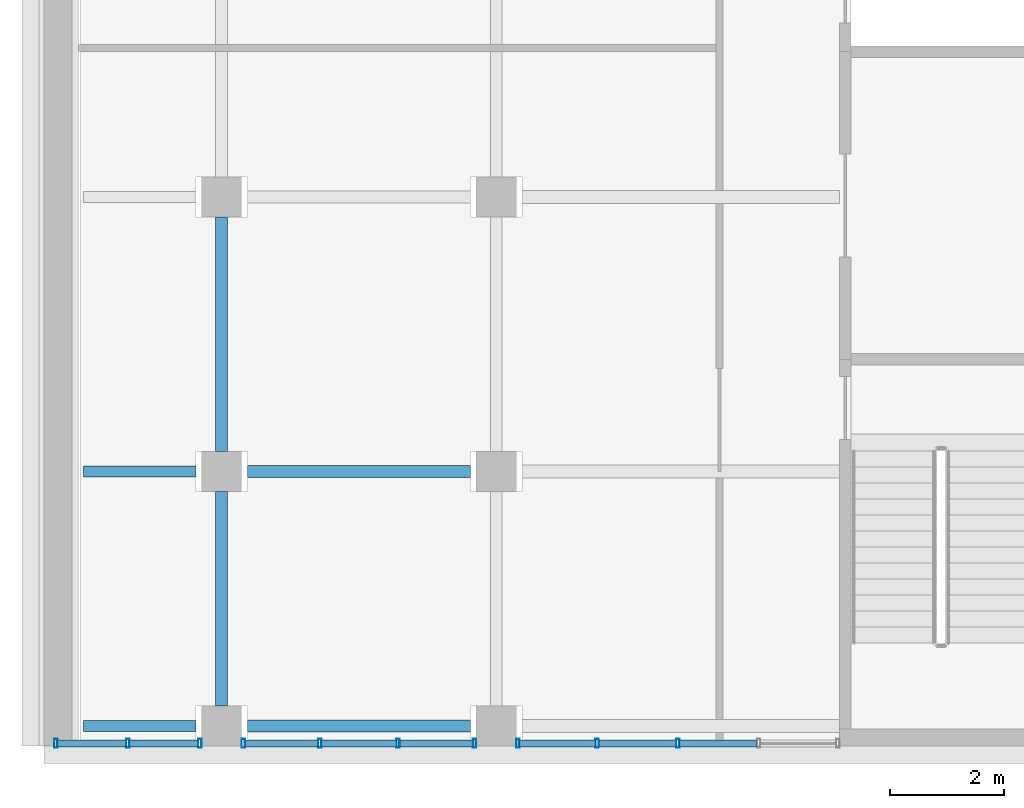
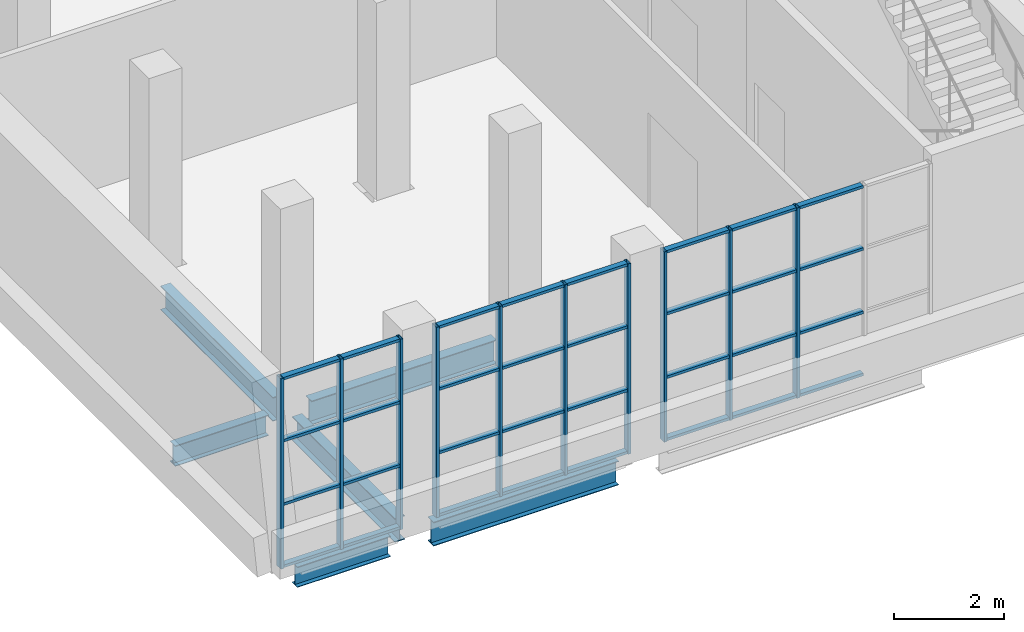
# One storey, part 3 of 32: 42 members, 6 beams, 3 elements without a shape of their own.
"""IFC4 building model written with IfcOpenShell, lengths in metres."""

from ifc_helpers import new_model, si_unit, direction, frame, origin, origin_2d, place, context, subcontext, project, spatial, hollow_rectangle, i_section, extrude, material, layer, layer_set, material_profile, profile_set, type_object, element, aggregate, save


model = new_model("IFC4")

# Units and contexts
model_context = context("Model", 3, precision=1e-05, world=origin(), true_north=direction((0.0, 1.0)))
body_context = subcontext(model_context, "Body", "Model", "MODEL_VIEW")
ifc_project = project(units=[si_unit("LENGTHUNIT", "METRE"), si_unit("AREAUNIT", "SQUARE_METRE"), si_unit("VOLUMEUNIT", "CUBIC_METRE"), si_unit("PLANEANGLEUNIT", "RADIAN"), si_unit("MASSUNIT", "GRAM", prefix="KILO")], contexts=[model_context])

# Site, building, storey
site_placement = place(None, origin())
site = spatial("IfcSite", under=ifc_project, at=site_placement, CompositionType="ELEMENT")
building_placement = place(site_placement, origin())
building = spatial("IfcBuilding", under=site, at=building_placement, Name="Baori Bourse Tower", CompositionType="ELEMENT")
storey_placement = place(building_placement, frame((0.0, 0.0, 12.60009765625)))
storey = spatial("IfcBuildingStorey", under=building, at=storey_placement, Name="L01", CompositionType="ELEMENT", Elevation=12.60009765625)

# Beams
ifc_material_1 = material(Name="Steel A992 Gr 50", Category="steel")
ifc_material_profile_1 = material_profile(ifc_material_1, i_section(OverallWidth=0.1904296875, OverallDepth=0.457275390625, WebThickness=0.009033203125, FlangeThickness=0.014404296875, at=origin_2d()), Name="W18x50")
ifc_profile_set_1 = profile_set([ifc_material_profile_1], Name="Steel A992 Gr 50")
beam_type_1 = type_object("IfcBeamType", Name="Wing beam W18x50", PredefinedType="BEAM", material=ifc_profile_set_1)
for number, where, z_axis, x_axis, name in (
    (1, (-16.81591796875, -24.85009765625, -0.52880859375), (1.0, 0.0, 0.0), (0.0, 1.0, 0.0), "wing/L01/Wbeam/001"),
    (2, (-16.81591796875, -20.39990234375, -0.52880859375), (1.0, 0.0, 0.0), (0.0, 1.0, 0.0), "wing/L01/Wbeam/004"),
):
    element("IfcBeam", number, at=place(storey_placement, frame(where, z_axis=z_axis, x_axis=x_axis)), inside=storey, type_object=beam_type_1, Name=name, PredefinedType="BEAM", context=body_context, shape_type="SweptSolid", body=[
        extrude(i_section(OverallWidth=0.1904296875, OverallDepth=0.457275390625, WebThickness=0.009033203125, FlangeThickness=0.014404296875, at=origin_2d()), origin(), (0.0, 0.0, 1.0), 1.9658203125),
    ])
ifc_material_2 = material(Name="Steel A992 Gr 50", Category="steel")
ifc_material_profile_2 = material_profile(ifc_material_2, i_section(OverallWidth=0.209228515625, OverallDepth=0.533447265625, WebThickness=0.01025390625, FlangeThickness=0.015625, at=origin_2d()), Name="W21x62")
ifc_profile_set_2 = profile_set([ifc_material_profile_2], Name="Steel A992 Gr 50")
beam_type_2 = type_object("IfcBeamType", Name="Wing beam W21x62", PredefinedType="BEAM", material=ifc_profile_set_2)
for number, where, z_axis, x_axis, name in (
    (3, (-13.949951171875, -24.85009765625, -0.56689453125), (1.0, 0.0, 0.0), (0.0, 1.0, 0.0), "wing/L01/Wbeam/002"),
    (4, (-13.949951171875, -20.39990234375, -0.56689453125), (1.0, 0.0, 0.0), (0.0, 1.0, 0.0), "wing/L01/Wbeam/005"),
):
    element("IfcBeam", number, at=place(storey_placement, frame(where, z_axis=z_axis, x_axis=x_axis)), inside=storey, type_object=beam_type_2, Name=name, PredefinedType="BEAM", context=body_context, shape_type="SweptSolid", body=[
        extrude(i_section(OverallWidth=0.209228515625, OverallDepth=0.533447265625, WebThickness=0.01025390625, FlangeThickness=0.015625, at=origin_2d()), origin(), (0.0, 0.0, 1.0), 3.89990234375),
    ])
beam_1_placement = place(storey_placement, frame((-14.39990234375, -24.5, -0.56689453125), z_axis=(0.0, 1.0, 0.0), x_axis=(-1.0, 0.0, 0.0)))
element("IfcBeam", 5, at=beam_1_placement, inside=storey, type_object=beam_type_2, Name="wing/L01/Wbeamy/001", PredefinedType="BEAM", context=body_context, shape_type="SweptSolid", body=[
    extrude(i_section(OverallWidth=0.209228515625, OverallDepth=0.533447265625, WebThickness=0.01025390625, FlangeThickness=0.015625, at=origin_2d()), origin(), (0.0, 0.0, 1.0), 3.75),
])
beam_2_placement = place(storey_placement, frame((-14.39990234375, -20.050048828125, -0.56689453125), z_axis=(0.0, 1.0, 0.0), x_axis=(-1.0, 0.0, 0.0)))
element("IfcBeam", 6, at=beam_2_placement, inside=storey, type_object=beam_type_2, Name="wing/L01/Wbeamy/002", PredefinedType="BEAM", context=body_context, shape_type="SweptSolid", body=[
    extrude(i_section(OverallWidth=0.209228515625, OverallDepth=0.533447265625, WebThickness=0.01025390625, FlangeThickness=0.015625, at=origin_2d()), origin(), (0.0, 0.0, 1.0), 4.10009765625),
])

# Curtain wall, members
ifc_material_3 = material(Name="Pale anodised aluminium", Category="aluminium")
ifc_layer = layer(ifc_material_3, 0.10009765625)
ifc_layer_set = layer_set([ifc_layer], Name="Wing curtain wall")
curtain_wall_type = type_object("IfcCurtainWallType", Name="Wing curtain wall", PredefinedType="NOTDEFINED", material=ifc_layer_set)
curtain_wall_1_placement = place(storey_placement, origin())
curtain_wall_1 = element("IfcCurtainWall", 7, at=curtain_wall_1_placement, inside=storey, type_object=curtain_wall_type, Name="wing/L01/Wcw/001", PredefinedType="NOTDEFINED")
ifc_material_4 = material(Name="Pale anodised aluminium", Category="aluminium")
ifc_material_profile_3 = material_profile(ifc_material_4, hollow_rectangle(XDim=0.159912109375, YDim=0.06005859375, WallThickness=0.0048828125, at=origin_2d()), Name="Mullion 160x60x5")
ifc_profile_set_3 = profile_set([ifc_material_profile_3], Name="Pale anodised aluminium")
member_type_1 = type_object("IfcMemberType", Name="Wing mullion 60x160", PredefinedType="MULLION", material=ifc_profile_set_3)
member_1_placement = place(storey_placement, frame((-17.296142578125, -25.14990234375, 0.0), z_axis=(0.0, 0.0, 1.0), x_axis=(0.0, 1.0, 0.0)))
member_1 = element("IfcMember", 8, at=member_1_placement, type_object=member_type_1, Name="X12 mullion 1", PredefinedType="MULLION", context=body_context, shape_type="SweptSolid", body=[
    extrude(hollow_rectangle(XDim=0.159912109375, YDim=0.06005859375, WallThickness=0.0048828125, at=origin_2d()), origin(), (0.0, 0.0, 1.0), 4.239990234375),
])
member_2_placement = place(storey_placement, frame((-16.0380859375, -25.14990234375, 0.0), z_axis=(0.0, 0.0, 1.0), x_axis=(0.0, 1.0, 0.0)))
member_2 = element("IfcMember", 9, at=member_2_placement, type_object=member_type_1, Name="X12 mullion 2", PredefinedType="MULLION", context=body_context, shape_type="SweptSolid", body=[
    extrude(hollow_rectangle(XDim=0.159912109375, YDim=0.06005859375, WallThickness=0.0048828125, at=origin_2d()), origin(), (0.0, 0.0, 1.0), 4.239990234375),
])
member_3_placement = place(storey_placement, frame((-14.780029296875, -25.14990234375, 0.0), z_axis=(0.0, 0.0, 1.0), x_axis=(0.0, 1.0, 0.0)))
member_3 = element("IfcMember", 10, at=member_3_placement, type_object=member_type_1, Name="X12 mullion 3", PredefinedType="MULLION", context=body_context, shape_type="SweptSolid", body=[
    extrude(hollow_rectangle(XDim=0.159912109375, YDim=0.06005859375, WallThickness=0.0048828125, at=origin_2d()), origin(), (0.0, 0.0, 1.0), 4.239990234375),
])

curtain_wall_2_placement = place(storey_placement, origin())
curtain_wall_2 = element("IfcCurtainWall", 11, at=curtain_wall_2_placement, inside=storey, type_object=curtain_wall_type, Name="wing/L01/Wcw/002", PredefinedType="NOTDEFINED")
member_4_placement = place(storey_placement, frame((-14.02001953125, -25.14990234375, 0.0), z_axis=(0.0, 0.0, 1.0), x_axis=(0.0, 1.0, 0.0)))
member_4 = element("IfcMember", 12, at=member_4_placement, type_object=member_type_1, Name="X12 mullion 1", PredefinedType="MULLION", context=body_context, shape_type="SweptSolid", body=[
    extrude(hollow_rectangle(XDim=0.159912109375, YDim=0.06005859375, WallThickness=0.0048828125, at=origin_2d()), origin(), (0.0, 0.0, 1.0), 4.239990234375),
])
member_5_placement = place(storey_placement, frame((-12.683349609375, -25.14990234375, 0.0), z_axis=(0.0, 0.0, 1.0), x_axis=(0.0, 1.0, 0.0)))
member_5 = element("IfcMember", 13, at=member_5_placement, type_object=member_type_1, Name="X12 mullion 2", PredefinedType="MULLION", context=body_context, shape_type="SweptSolid", body=[
    extrude(hollow_rectangle(XDim=0.159912109375, YDim=0.06005859375, WallThickness=0.0048828125, at=origin_2d()), origin(), (0.0, 0.0, 1.0), 4.239990234375),
])
member_6_placement = place(storey_placement, frame((-11.316650390625, -25.14990234375, 0.0), z_axis=(0.0, 0.0, 1.0), x_axis=(0.0, 1.0, 0.0)))
member_6 = element("IfcMember", 14, at=member_6_placement, type_object=member_type_1, Name="X12 mullion 3", PredefinedType="MULLION", context=body_context, shape_type="SweptSolid", body=[
    extrude(hollow_rectangle(XDim=0.159912109375, YDim=0.06005859375, WallThickness=0.0048828125, at=origin_2d()), origin(), (0.0, 0.0, 1.0), 4.239990234375),
])
member_7_placement = place(storey_placement, frame((-9.97998046875, -25.14990234375, 0.0), z_axis=(0.0, 0.0, 1.0), x_axis=(0.0, 1.0, 0.0)))
member_7 = element("IfcMember", 15, at=member_7_placement, type_object=member_type_1, Name="X12 mullion 4", PredefinedType="MULLION", context=body_context, shape_type="SweptSolid", body=[
    extrude(hollow_rectangle(XDim=0.159912109375, YDim=0.06005859375, WallThickness=0.0048828125, at=origin_2d()), origin(), (0.0, 0.0, 1.0), 4.239990234375),
])

curtain_wall_3_placement = place(storey_placement, origin())
curtain_wall_3 = element("IfcCurtainWall", 16, at=curtain_wall_3_placement, inside=storey, type_object=curtain_wall_type, Name="wing/L01/Wcw/003", PredefinedType="NOTDEFINED")
member_8_placement = place(storey_placement, frame((-9.219970703125, -25.14990234375, 0.0), z_axis=(0.0, 0.0, 1.0), x_axis=(0.0, 1.0, 0.0)))
member_8 = element("IfcMember", 17, at=member_8_placement, type_object=member_type_1, Name="X12 mullion 1", PredefinedType="MULLION", context=body_context, shape_type="SweptSolid", body=[
    extrude(hollow_rectangle(XDim=0.159912109375, YDim=0.06005859375, WallThickness=0.0048828125, at=origin_2d()), origin(), (0.0, 0.0, 1.0), 4.239990234375),
])
member_9_placement = place(storey_placement, frame((-7.83740234375, -25.14990234375, 0.0), z_axis=(0.0, 0.0, 1.0), x_axis=(0.0, 1.0, 0.0)))
member_9 = element("IfcMember", 18, at=member_9_placement, type_object=member_type_1, Name="X12 mullion 2", PredefinedType="MULLION", context=body_context, shape_type="SweptSolid", body=[
    extrude(hollow_rectangle(XDim=0.159912109375, YDim=0.06005859375, WallThickness=0.0048828125, at=origin_2d()), origin(), (0.0, 0.0, 1.0), 4.239990234375),
])
member_10_placement = place(storey_placement, frame((-6.425048828125, -25.14990234375, 0.0), z_axis=(0.0, 0.0, 1.0), x_axis=(0.0, 1.0, 0.0)))
member_10 = element("IfcMember", 19, at=member_10_placement, type_object=member_type_1, Name="X12 mullion 3", PredefinedType="MULLION", context=body_context, shape_type="SweptSolid", body=[
    extrude(hollow_rectangle(XDim=0.159912109375, YDim=0.06005859375, WallThickness=0.0048828125, at=origin_2d()), origin(), (0.0, 0.0, 1.0), 4.239990234375),
])

# Member
ifc_material_5 = material(Name="Pale anodised aluminium", Category="aluminium")
ifc_material_profile_4 = material_profile(ifc_material_5, hollow_rectangle(XDim=0.1201171875, YDim=0.06005859375, WallThickness=0.0048828125, at=origin_2d()), Name="Transom 120x60x5")
ifc_profile_set_4 = profile_set([ifc_material_profile_4], Name="Pale anodised aluminium")
member_type_2 = type_object("IfcMemberType", Name="Wing transom 120x60", PredefinedType="USERDEFINED", material=ifc_profile_set_4)
member_11_placement = place(storey_placement, frame((-17.26611328125, -25.14990234375, 0.02978515625), z_axis=(1.0, 0.0, 0.0), x_axis=(0.0, 1.0, 0.0)))
member_11 = element("IfcMember", 20, at=member_11_placement, type_object=member_type_2, Name="X12 transom 1.1", ObjectType="TRANSOM", PredefinedType="USERDEFINED", context=body_context, shape_type="SweptSolid", body=[
    extrude(hollow_rectangle(XDim=0.1201171875, YDim=0.06005859375, WallThickness=0.0048828125, at=origin_2d()), origin(), (0.0, 0.0, 1.0), 1.197998046875),
])

member_12_placement = place(storey_placement, frame((-17.26611328125, -25.14990234375, 1.413330078125), z_axis=(1.0, 0.0, 0.0), x_axis=(0.0, 1.0, 0.0)))
member_12 = element("IfcMember", 21, at=member_12_placement, type_object=member_type_2, Name="X12 transom 1.2", ObjectType="TRANSOM", PredefinedType="USERDEFINED", context=body_context, shape_type="SweptSolid", body=[
    extrude(hollow_rectangle(XDim=0.1201171875, YDim=0.06005859375, WallThickness=0.0048828125, at=origin_2d()), origin(), (0.0, 0.0, 1.0), 1.197998046875),
])

member_13_placement = place(storey_placement, frame((-17.26611328125, -25.14990234375, 2.82666015625), z_axis=(1.0, 0.0, 0.0), x_axis=(0.0, 1.0, 0.0)))
member_13 = element("IfcMember", 22, at=member_13_placement, type_object=member_type_2, Name="X12 transom 1.3", ObjectType="TRANSOM", PredefinedType="USERDEFINED", context=body_context, shape_type="SweptSolid", body=[
    extrude(hollow_rectangle(XDim=0.1201171875, YDim=0.06005859375, WallThickness=0.0048828125, at=origin_2d()), origin(), (0.0, 0.0, 1.0), 1.197998046875),
])

member_14_placement = place(storey_placement, frame((-17.26611328125, -25.14990234375, 4.2099609375), z_axis=(1.0, 0.0, 0.0), x_axis=(0.0, 1.0, 0.0)))
member_14 = element("IfcMember", 23, at=member_14_placement, type_object=member_type_2, Name="X12 transom 1.4", ObjectType="TRANSOM", PredefinedType="USERDEFINED", context=body_context, shape_type="SweptSolid", body=[
    extrude(hollow_rectangle(XDim=0.1201171875, YDim=0.06005859375, WallThickness=0.0048828125, at=origin_2d()), origin(), (0.0, 0.0, 1.0), 1.197998046875),
])

member_15_placement = place(storey_placement, frame((-16.008056640625, -25.14990234375, 0.02978515625), z_axis=(1.0, 0.0, 0.0), x_axis=(0.0, 1.0, 0.0)))
member_15 = element("IfcMember", 24, at=member_15_placement, type_object=member_type_2, Name="X12 transom 2.1", ObjectType="TRANSOM", PredefinedType="USERDEFINED", context=body_context, shape_type="SweptSolid", body=[
    extrude(hollow_rectangle(XDim=0.1201171875, YDim=0.06005859375, WallThickness=0.0048828125, at=origin_2d()), origin(), (0.0, 0.0, 1.0), 1.197998046875),
])

member_16_placement = place(storey_placement, frame((-16.008056640625, -25.14990234375, 1.413330078125), z_axis=(1.0, 0.0, 0.0), x_axis=(0.0, 1.0, 0.0)))
member_16 = element("IfcMember", 25, at=member_16_placement, type_object=member_type_2, Name="X12 transom 2.2", ObjectType="TRANSOM", PredefinedType="USERDEFINED", context=body_context, shape_type="SweptSolid", body=[
    extrude(hollow_rectangle(XDim=0.1201171875, YDim=0.06005859375, WallThickness=0.0048828125, at=origin_2d()), origin(), (0.0, 0.0, 1.0), 1.197998046875),
])

member_17_placement = place(storey_placement, frame((-16.008056640625, -25.14990234375, 2.82666015625), z_axis=(1.0, 0.0, 0.0), x_axis=(0.0, 1.0, 0.0)))
member_17 = element("IfcMember", 26, at=member_17_placement, type_object=member_type_2, Name="X12 transom 2.3", ObjectType="TRANSOM", PredefinedType="USERDEFINED", context=body_context, shape_type="SweptSolid", body=[
    extrude(hollow_rectangle(XDim=0.1201171875, YDim=0.06005859375, WallThickness=0.0048828125, at=origin_2d()), origin(), (0.0, 0.0, 1.0), 1.197998046875),
])

member_18_placement = place(storey_placement, frame((-16.008056640625, -25.14990234375, 4.2099609375), z_axis=(1.0, 0.0, 0.0), x_axis=(0.0, 1.0, 0.0)))
member_18 = element("IfcMember", 27, at=member_18_placement, type_object=member_type_2, Name="X12 transom 2.4", ObjectType="TRANSOM", PredefinedType="USERDEFINED", context=body_context, shape_type="SweptSolid", body=[
    extrude(hollow_rectangle(XDim=0.1201171875, YDim=0.06005859375, WallThickness=0.0048828125, at=origin_2d()), origin(), (0.0, 0.0, 1.0), 1.197998046875),
])

aggregate(curtain_wall_1, [member_1, member_2, member_3, member_11, member_12, member_13, member_14, member_15, member_16, member_17, member_18])

member_19_placement = place(storey_placement, frame((-13.989990234375, -25.14990234375, 0.02978515625), z_axis=(1.0, 0.0, 0.0), x_axis=(0.0, 1.0, 0.0)))
member_19 = element("IfcMember", 28, at=member_19_placement, type_object=member_type_2, Name="X12 transom 1.1", ObjectType="TRANSOM", PredefinedType="USERDEFINED", context=body_context, shape_type="SweptSolid", body=[
    extrude(hollow_rectangle(XDim=0.1201171875, YDim=0.06005859375, WallThickness=0.0048828125, at=origin_2d()), origin(), (0.0, 0.0, 1.0), 1.276611328125),
])

member_20_placement = place(storey_placement, frame((-13.989990234375, -25.14990234375, 1.413330078125), z_axis=(1.0, 0.0, 0.0), x_axis=(0.0, 1.0, 0.0)))
member_20 = element("IfcMember", 29, at=member_20_placement, type_object=member_type_2, Name="X12 transom 1.2", ObjectType="TRANSOM", PredefinedType="USERDEFINED", context=body_context, shape_type="SweptSolid", body=[
    extrude(hollow_rectangle(XDim=0.1201171875, YDim=0.06005859375, WallThickness=0.0048828125, at=origin_2d()), origin(), (0.0, 0.0, 1.0), 1.276611328125),
])

member_21_placement = place(storey_placement, frame((-13.989990234375, -25.14990234375, 2.82666015625), z_axis=(1.0, 0.0, 0.0), x_axis=(0.0, 1.0, 0.0)))
member_21 = element("IfcMember", 30, at=member_21_placement, type_object=member_type_2, Name="X12 transom 1.3", ObjectType="TRANSOM", PredefinedType="USERDEFINED", context=body_context, shape_type="SweptSolid", body=[
    extrude(hollow_rectangle(XDim=0.1201171875, YDim=0.06005859375, WallThickness=0.0048828125, at=origin_2d()), origin(), (0.0, 0.0, 1.0), 1.276611328125),
])

member_22_placement = place(storey_placement, frame((-13.989990234375, -25.14990234375, 4.2099609375), z_axis=(1.0, 0.0, 0.0), x_axis=(0.0, 1.0, 0.0)))
member_22 = element("IfcMember", 31, at=member_22_placement, type_object=member_type_2, Name="X12 transom 1.4", ObjectType="TRANSOM", PredefinedType="USERDEFINED", context=body_context, shape_type="SweptSolid", body=[
    extrude(hollow_rectangle(XDim=0.1201171875, YDim=0.06005859375, WallThickness=0.0048828125, at=origin_2d()), origin(), (0.0, 0.0, 1.0), 1.276611328125),
])

member_23_placement = place(storey_placement, frame((-12.6533203125, -25.14990234375, 0.02978515625), z_axis=(1.0, 0.0, 0.0), x_axis=(0.0, 1.0, 0.0)))
member_23 = element("IfcMember", 32, at=member_23_placement, type_object=member_type_2, Name="X12 transom 2.1", ObjectType="TRANSOM", PredefinedType="USERDEFINED", context=body_context, shape_type="SweptSolid", body=[
    extrude(hollow_rectangle(XDim=0.1201171875, YDim=0.06005859375, WallThickness=0.0048828125, at=origin_2d()), origin(), (0.0, 0.0, 1.0), 1.306640625),
])

member_24_placement = place(storey_placement, frame((-12.6533203125, -25.14990234375, 1.413330078125), z_axis=(1.0, 0.0, 0.0), x_axis=(0.0, 1.0, 0.0)))
member_24 = element("IfcMember", 33, at=member_24_placement, type_object=member_type_2, Name="X12 transom 2.2", ObjectType="TRANSOM", PredefinedType="USERDEFINED", context=body_context, shape_type="SweptSolid", body=[
    extrude(hollow_rectangle(XDim=0.1201171875, YDim=0.06005859375, WallThickness=0.0048828125, at=origin_2d()), origin(), (0.0, 0.0, 1.0), 1.306640625),
])

member_25_placement = place(storey_placement, frame((-12.6533203125, -25.14990234375, 2.82666015625), z_axis=(1.0, 0.0, 0.0), x_axis=(0.0, 1.0, 0.0)))
member_25 = element("IfcMember", 34, at=member_25_placement, type_object=member_type_2, Name="X12 transom 2.3", ObjectType="TRANSOM", PredefinedType="USERDEFINED", context=body_context, shape_type="SweptSolid", body=[
    extrude(hollow_rectangle(XDim=0.1201171875, YDim=0.06005859375, WallThickness=0.0048828125, at=origin_2d()), origin(), (0.0, 0.0, 1.0), 1.306640625),
])

member_26_placement = place(storey_placement, frame((-12.6533203125, -25.14990234375, 4.2099609375), z_axis=(1.0, 0.0, 0.0), x_axis=(0.0, 1.0, 0.0)))
member_26 = element("IfcMember", 35, at=member_26_placement, type_object=member_type_2, Name="X12 transom 2.4", ObjectType="TRANSOM", PredefinedType="USERDEFINED", context=body_context, shape_type="SweptSolid", body=[
    extrude(hollow_rectangle(XDim=0.1201171875, YDim=0.06005859375, WallThickness=0.0048828125, at=origin_2d()), origin(), (0.0, 0.0, 1.0), 1.306640625),
])

member_27_placement = place(storey_placement, frame((-11.28662109375, -25.14990234375, 0.02978515625), z_axis=(1.0, 0.0, 0.0), x_axis=(0.0, 1.0, 0.0)))
member_27 = element("IfcMember", 36, at=member_27_placement, type_object=member_type_2, Name="X12 transom 3.1", ObjectType="TRANSOM", PredefinedType="USERDEFINED", context=body_context, shape_type="SweptSolid", body=[
    extrude(hollow_rectangle(XDim=0.1201171875, YDim=0.06005859375, WallThickness=0.0048828125, at=origin_2d()), origin(), (0.0, 0.0, 1.0), 1.276611328125),
])

member_28_placement = place(storey_placement, frame((-11.28662109375, -25.14990234375, 1.413330078125), z_axis=(1.0, 0.0, 0.0), x_axis=(0.0, 1.0, 0.0)))
member_28 = element("IfcMember", 37, at=member_28_placement, type_object=member_type_2, Name="X12 transom 3.2", ObjectType="TRANSOM", PredefinedType="USERDEFINED", context=body_context, shape_type="SweptSolid", body=[
    extrude(hollow_rectangle(XDim=0.1201171875, YDim=0.06005859375, WallThickness=0.0048828125, at=origin_2d()), origin(), (0.0, 0.0, 1.0), 1.276611328125),
])

member_29_placement = place(storey_placement, frame((-11.28662109375, -25.14990234375, 2.82666015625), z_axis=(1.0, 0.0, 0.0), x_axis=(0.0, 1.0, 0.0)))
member_29 = element("IfcMember", 38, at=member_29_placement, type_object=member_type_2, Name="X12 transom 3.3", ObjectType="TRANSOM", PredefinedType="USERDEFINED", context=body_context, shape_type="SweptSolid", body=[
    extrude(hollow_rectangle(XDim=0.1201171875, YDim=0.06005859375, WallThickness=0.0048828125, at=origin_2d()), origin(), (0.0, 0.0, 1.0), 1.276611328125),
])

member_30_placement = place(storey_placement, frame((-11.28662109375, -25.14990234375, 4.2099609375), z_axis=(1.0, 0.0, 0.0), x_axis=(0.0, 1.0, 0.0)))
member_30 = element("IfcMember", 39, at=member_30_placement, type_object=member_type_2, Name="X12 transom 3.4", ObjectType="TRANSOM", PredefinedType="USERDEFINED", context=body_context, shape_type="SweptSolid", body=[
    extrude(hollow_rectangle(XDim=0.1201171875, YDim=0.06005859375, WallThickness=0.0048828125, at=origin_2d()), origin(), (0.0, 0.0, 1.0), 1.276611328125),
])

aggregate(curtain_wall_2, [member_4, member_5, member_6, member_7, member_19, member_20, member_21, member_22, member_23, member_24, member_25, member_26, member_27, member_28, member_29, member_30])

member_31_placement = place(storey_placement, frame((-9.18994140625, -25.14990234375, 0.02978515625), z_axis=(1.0, 0.0, 0.0), x_axis=(0.0, 1.0, 0.0)))
member_31 = element("IfcMember", 40, at=member_31_placement, type_object=member_type_2, Name="X12 transom 1.1", ObjectType="TRANSOM", PredefinedType="USERDEFINED", context=body_context, shape_type="SweptSolid", body=[
    extrude(hollow_rectangle(XDim=0.1201171875, YDim=0.06005859375, WallThickness=0.0048828125, at=origin_2d()), origin(), (0.0, 0.0, 1.0), 1.322509765625),
])

member_32_placement = place(storey_placement, frame((-9.18994140625, -25.14990234375, 1.413330078125), z_axis=(1.0, 0.0, 0.0), x_axis=(0.0, 1.0, 0.0)))
member_32 = element("IfcMember", 41, at=member_32_placement, type_object=member_type_2, Name="X12 transom 1.2", ObjectType="TRANSOM", PredefinedType="USERDEFINED", context=body_context, shape_type="SweptSolid", body=[
    extrude(hollow_rectangle(XDim=0.1201171875, YDim=0.06005859375, WallThickness=0.0048828125, at=origin_2d()), origin(), (0.0, 0.0, 1.0), 1.322509765625),
])

member_33_placement = place(storey_placement, frame((-9.18994140625, -25.14990234375, 2.82666015625), z_axis=(1.0, 0.0, 0.0), x_axis=(0.0, 1.0, 0.0)))
member_33 = element("IfcMember", 42, at=member_33_placement, type_object=member_type_2, Name="X12 transom 1.3", ObjectType="TRANSOM", PredefinedType="USERDEFINED", context=body_context, shape_type="SweptSolid", body=[
    extrude(hollow_rectangle(XDim=0.1201171875, YDim=0.06005859375, WallThickness=0.0048828125, at=origin_2d()), origin(), (0.0, 0.0, 1.0), 1.322509765625),
])

member_34_placement = place(storey_placement, frame((-9.18994140625, -25.14990234375, 4.2099609375), z_axis=(1.0, 0.0, 0.0), x_axis=(0.0, 1.0, 0.0)))
member_34 = element("IfcMember", 43, at=member_34_placement, type_object=member_type_2, Name="X12 transom 1.4", ObjectType="TRANSOM", PredefinedType="USERDEFINED", context=body_context, shape_type="SweptSolid", body=[
    extrude(hollow_rectangle(XDim=0.1201171875, YDim=0.06005859375, WallThickness=0.0048828125, at=origin_2d()), origin(), (0.0, 0.0, 1.0), 1.322509765625),
])

member_35_placement = place(storey_placement, frame((-7.8076171875, -25.14990234375, 0.02978515625), z_axis=(1.0, 0.0, 0.0), x_axis=(0.0, 1.0, 0.0)))
member_35 = element("IfcMember", 44, at=member_35_placement, type_object=member_type_2, Name="X12 transom 2.1", ObjectType="TRANSOM", PredefinedType="USERDEFINED", context=body_context, shape_type="SweptSolid", body=[
    extrude(hollow_rectangle(XDim=0.1201171875, YDim=0.06005859375, WallThickness=0.0048828125, at=origin_2d()), origin(), (0.0, 0.0, 1.0), 1.3525390625),
])

member_36_placement = place(storey_placement, frame((-7.8076171875, -25.14990234375, 1.413330078125), z_axis=(1.0, 0.0, 0.0), x_axis=(0.0, 1.0, 0.0)))
member_36 = element("IfcMember", 45, at=member_36_placement, type_object=member_type_2, Name="X12 transom 2.2", ObjectType="TRANSOM", PredefinedType="USERDEFINED", context=body_context, shape_type="SweptSolid", body=[
    extrude(hollow_rectangle(XDim=0.1201171875, YDim=0.06005859375, WallThickness=0.0048828125, at=origin_2d()), origin(), (0.0, 0.0, 1.0), 1.3525390625),
])

member_37_placement = place(storey_placement, frame((-7.8076171875, -25.14990234375, 2.82666015625), z_axis=(1.0, 0.0, 0.0), x_axis=(0.0, 1.0, 0.0)))
member_37 = element("IfcMember", 46, at=member_37_placement, type_object=member_type_2, Name="X12 transom 2.3", ObjectType="TRANSOM", PredefinedType="USERDEFINED", context=body_context, shape_type="SweptSolid", body=[
    extrude(hollow_rectangle(XDim=0.1201171875, YDim=0.06005859375, WallThickness=0.0048828125, at=origin_2d()), origin(), (0.0, 0.0, 1.0), 1.3525390625),
])

member_38_placement = place(storey_placement, frame((-7.8076171875, -25.14990234375, 4.2099609375), z_axis=(1.0, 0.0, 0.0), x_axis=(0.0, 1.0, 0.0)))
member_38 = element("IfcMember", 47, at=member_38_placement, type_object=member_type_2, Name="X12 transom 2.4", ObjectType="TRANSOM", PredefinedType="USERDEFINED", context=body_context, shape_type="SweptSolid", body=[
    extrude(hollow_rectangle(XDim=0.1201171875, YDim=0.06005859375, WallThickness=0.0048828125, at=origin_2d()), origin(), (0.0, 0.0, 1.0), 1.3525390625),
])

member_39_placement = place(storey_placement, frame((-6.39501953125, -25.14990234375, 0.02978515625), z_axis=(1.0, 0.0, 0.0), x_axis=(0.0, 1.0, 0.0)))
member_39 = element("IfcMember", 48, at=member_39_placement, type_object=member_type_2, Name="X12 transom 3.1", ObjectType="TRANSOM", PredefinedType="USERDEFINED", context=body_context, shape_type="SweptSolid", body=[
    extrude(hollow_rectangle(XDim=0.1201171875, YDim=0.06005859375, WallThickness=0.0048828125, at=origin_2d()), origin(), (0.0, 0.0, 1.0), 1.3525390625),
])

member_40_placement = place(storey_placement, frame((-6.39501953125, -25.14990234375, 1.413330078125), z_axis=(1.0, 0.0, 0.0), x_axis=(0.0, 1.0, 0.0)))
member_40 = element("IfcMember", 49, at=member_40_placement, type_object=member_type_2, Name="X12 transom 3.2", ObjectType="TRANSOM", PredefinedType="USERDEFINED", context=body_context, shape_type="SweptSolid", body=[
    extrude(hollow_rectangle(XDim=0.1201171875, YDim=0.06005859375, WallThickness=0.0048828125, at=origin_2d()), origin(), (0.0, 0.0, 1.0), 1.3525390625),
])

member_41_placement = place(storey_placement, frame((-6.39501953125, -25.14990234375, 2.82666015625), z_axis=(1.0, 0.0, 0.0), x_axis=(0.0, 1.0, 0.0)))
member_41 = element("IfcMember", 50, at=member_41_placement, type_object=member_type_2, Name="X12 transom 3.3", ObjectType="TRANSOM", PredefinedType="USERDEFINED", context=body_context, shape_type="SweptSolid", body=[
    extrude(hollow_rectangle(XDim=0.1201171875, YDim=0.06005859375, WallThickness=0.0048828125, at=origin_2d()), origin(), (0.0, 0.0, 1.0), 1.3525390625),
])

member_42_placement = place(storey_placement, frame((-6.39501953125, -25.14990234375, 4.2099609375), z_axis=(1.0, 0.0, 0.0), x_axis=(0.0, 1.0, 0.0)))
member_42 = element("IfcMember", 51, at=member_42_placement, type_object=member_type_2, Name="X12 transom 3.4", ObjectType="TRANSOM", PredefinedType="USERDEFINED", context=body_context, shape_type="SweptSolid", body=[
    extrude(hollow_rectangle(XDim=0.1201171875, YDim=0.06005859375, WallThickness=0.0048828125, at=origin_2d()), origin(), (0.0, 0.0, 1.0), 1.3525390625),
])

aggregate(curtain_wall_3, [member_8, member_9, member_10, member_31, member_32, member_33, member_34, member_35, member_36, member_37, member_38, member_39, member_40, member_41, member_42])

save(model, "model.ifc")
